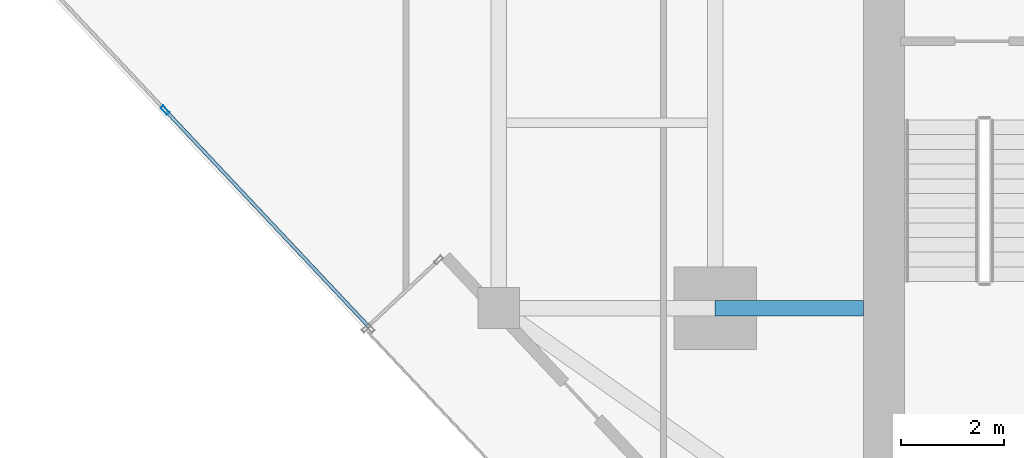
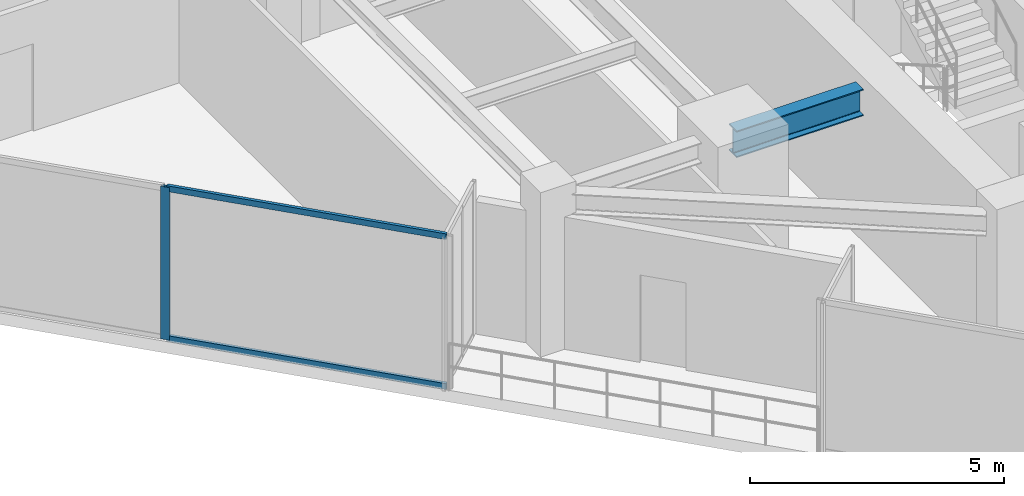
# One storey, part 4 of 24: 3 members, 1 beam, 1 element without a shape of its own.
"""IFC4 building model written with IfcOpenShell, lengths in metres."""

from ifc_helpers import new_model, si_unit, direction, frame, origin, origin_2d, place, context, subcontext, project, spatial, hollow_rectangle, i_section, extrude, source, transform, mapped, material, material_profile, profile_set, type_object, type_shapes, element, aggregate, save


model = new_model("IFC4")

# Units and contexts
model_context = context("Model", 3, precision=1e-05, world=origin(), true_north=direction((0.0, 1.0)))
body_context = subcontext(model_context, "Body", "Model", "MODEL_VIEW")
ifc_project = project(units=[si_unit("LENGTHUNIT", "METRE"), si_unit("AREAUNIT", "SQUARE_METRE"), si_unit("VOLUMEUNIT", "CUBIC_METRE"), si_unit("PLANEANGLEUNIT", "RADIAN"), si_unit("MASSUNIT", "GRAM", prefix="KILO")], contexts=[model_context])

# Site, building, storey
site_placement = place(None, origin())
site = spatial("IfcSite", under=ifc_project, at=site_placement, CompositionType="ELEMENT")
building_placement = place(site_placement, origin())
building = spatial("IfcBuilding", under=site, at=building_placement, Name="Krantzveldt Concourse Tower", CompositionType="ELEMENT")
storey_placement = place(building_placement, frame((0.0, 0.0, 246.800048828125)))
storey = spatial("IfcBuildingStorey", under=building, at=storey_placement, Name="L60", CompositionType="ELEMENT", Elevation=246.800048828125)

# Beam
ifc_material_1 = material(Name="Steel S355JR", Category="steel")
ifc_material_profile_1 = material_profile(ifc_material_1, i_section(OverallWidth=0.300048828125, OverallDepth=0.639892578125, WebThickness=0.013427734375, FlangeThickness=0.02587890625, FilletRadius=0.027099609375, at=origin_2d()), Name="Steel S355JR", Category="steel")
ifc_profile_set_1 = profile_set([ifc_material_profile_1], Name="Steel S355JR - HEA 650")
beam_type = type_object("IfcBeamType", Name="BM-B-HEA650", PredefinedType="BEAM", material=ifc_profile_set_1)
shared_shape_1 = source(origin(), body_context, "Body", "SweptSolid", [
    extrude(i_section(OverallWidth=0.300048828125, OverallDepth=0.639892578125, WebThickness=0.013427734375, FlangeThickness=0.02587890625, FilletRadius=0.027099609375, at=origin_2d()), origin(), (0.0, 0.0, 1.0), 2.880126953125),
])
type_shapes(beam_type, [shared_shape_1])
beam_placement = place(storey_placement, frame((25.199951171875, 15.89990234375, 3.349853515625), z_axis=(1.0, 0.0, 0.0), x_axis=(0.0, 1.0, 0.0)))
element("IfcBeam", 1, at=beam_placement, inside=storey, type_object=beam_type, Name="L60 Tower Girder BG-CW1", PredefinedType="BEAM", context=body_context, shape_type="MappedRepresentation", body=[
    mapped(shared_shape_1, transform((0.0, 0.0, 0.0), x_axis=(1.0, 0.0, 0.0), y_axis=(0.0, 1.0, 0.0), z_axis=(0.0, 0.0, 1.0), scale=1.0)),
])

# Curtain wall, members
ifc_material_2 = material(Name="Anodised aluminium 6063-T6", Category="aluminium")
curtain_wall_type = type_object("IfcCurtainWallType", Name="CW3", PredefinedType="USERDEFINED", material=ifc_material_2)
curtain_wall_placement = place(storey_placement, origin())
curtain_wall = element("IfcCurtainWall", 2, at=curtain_wall_placement, inside=storey, type_object=curtain_wall_type, Name="CW-L60-F04", ObjectType="UNITISED CURTAIN WALL", PredefinedType="USERDEFINED")
ifc_material_profile_2 = material_profile(ifc_material_2, hollow_rectangle(XDim=0.070068359375, YDim=0.179931640625, WallThickness=0.0048828125, at=origin_2d()), Name="Anodised aluminium 6063-T6", Category="aluminium")
ifc_profile_set_2 = profile_set([ifc_material_profile_2], Name="Anodised aluminium 6063-T6 - ALU-MULL 180x70x5")
member_type_1 = type_object("IfcMemberType", Name="CW-MUL-180", PredefinedType="MULLION", material=ifc_profile_set_2)
shared_shape_2 = source(origin(), body_context, "Body", "SweptSolid", [
    extrude(hollow_rectangle(XDim=0.070068359375, YDim=0.179931640625, WallThickness=0.0048828125, at=origin_2d()), origin(), (0.0, 0.0, 1.0), 3.669921875),
])
type_shapes(member_type_1, [shared_shape_2])
member_1_placement = place(storey_placement, frame((14.52197265625, 19.744140625, 0.0), z_axis=(0.0, 0.0, 1.0), x_axis=(0.728370998021, 0.685182960414, 0.0)))
member_1 = element("IfcMember", 3, at=member_1_placement, type_object=member_type_1, Name="CW-Z34 mullion 2", PredefinedType="MULLION", context=body_context, shape_type="MappedRepresentation", body=[
    mapped(shared_shape_2, transform((0.0, 0.0, 0.0), x_axis=(1.0, 0.0, 0.0), y_axis=(0.0, 1.0, 0.0), z_axis=(0.0, 0.0, 1.0), scale=1.0)),
])
ifc_material_profile_3 = material_profile(ifc_material_2, hollow_rectangle(XDim=0.070068359375, YDim=0.139892578125, WallThickness=0.0048828125, at=origin_2d()), Name="Anodised aluminium 6063-T6", Category="aluminium")
ifc_profile_set_3 = profile_set([ifc_material_profile_3], Name="Anodised aluminium 6063-T6 - ALU-TRAN 140x70x5")
member_type_2 = type_object("IfcMemberType", Name="CW-TRN-150", PredefinedType="USERDEFINED", material=ifc_profile_set_3)
shared_shape_3 = source(origin(), body_context, "Body", "SweptSolid", [
    extrude(hollow_rectangle(XDim=0.070068359375, YDim=0.139892578125, WallThickness=0.0048828125, at=origin_2d()), origin(), (0.0, 0.0, 1.0), 5.744873046875),
])
type_shapes(member_type_2, [shared_shape_3])
member_2_placement = place(storey_placement, frame((14.5458984375, 19.71875, 0.034912109375), z_axis=(0.685167163665, -0.728385857795, 0.0), x_axis=(0.728385857795, 0.685167163665, 0.0)))
member_2 = element("IfcMember", 4, at=member_2_placement, type_object=member_type_2, Name="CW-Z34 transom 2.1", ObjectType="TRANSOM", PredefinedType="USERDEFINED", context=body_context, shape_type="MappedRepresentation", body=[
    mapped(shared_shape_3, transform((0.0, 0.0, 0.0), x_axis=(1.0, 0.0, 0.0), y_axis=(0.0, 1.0, 0.0), z_axis=(0.0, 0.0, 1.0), scale=1.0)),
])
member_3_placement = place(storey_placement, frame((14.5458984375, 19.71875, 3.635009765625), z_axis=(0.685167163665, -0.728385857795, 0.0), x_axis=(0.728385857795, 0.685167163665, 0.0)))
member_3 = element("IfcMember", 5, at=member_3_placement, type_object=member_type_2, Name="CW-Z34 transom 2.2", ObjectType="TRANSOM", PredefinedType="USERDEFINED", context=body_context, shape_type="MappedRepresentation", body=[
    mapped(shared_shape_3, transform((0.0, 0.0, 0.0), x_axis=(1.0, 0.0, 0.0), y_axis=(0.0, 1.0, 0.0), z_axis=(0.0, 0.0, 1.0), scale=1.0)),
])
aggregate(curtain_wall, [member_1, member_2, member_3])

save(model, "model.ifc")
